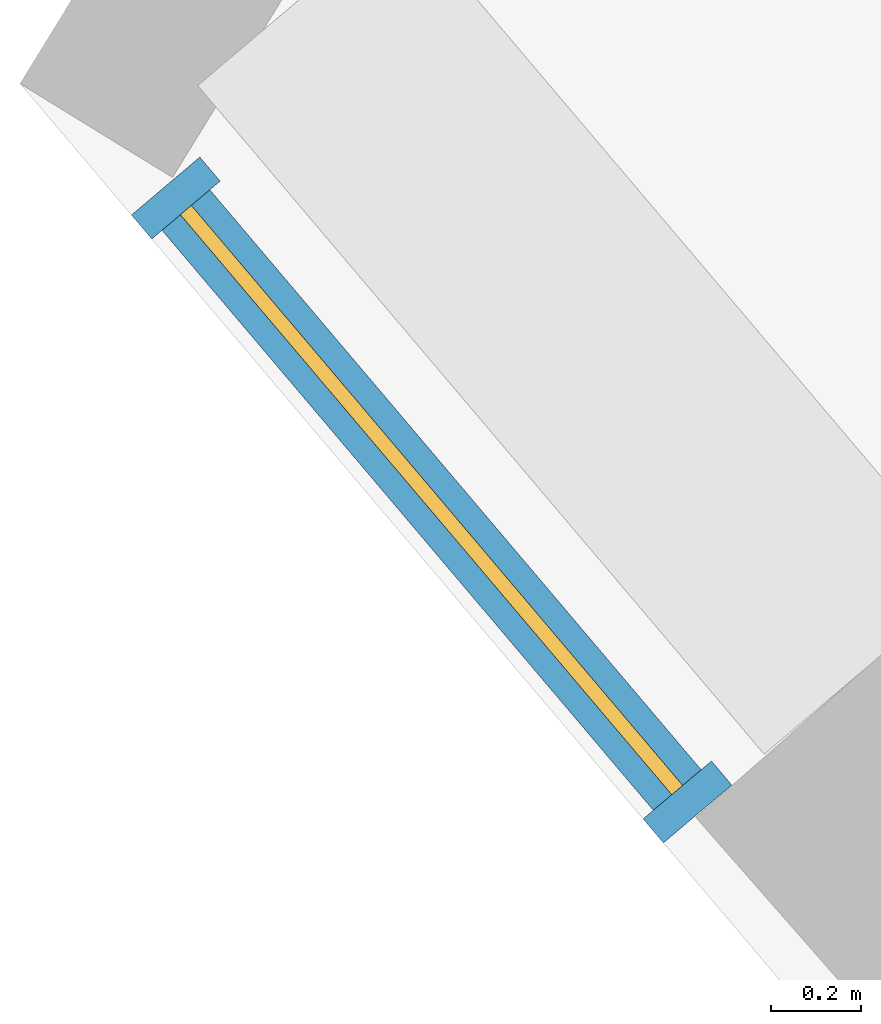
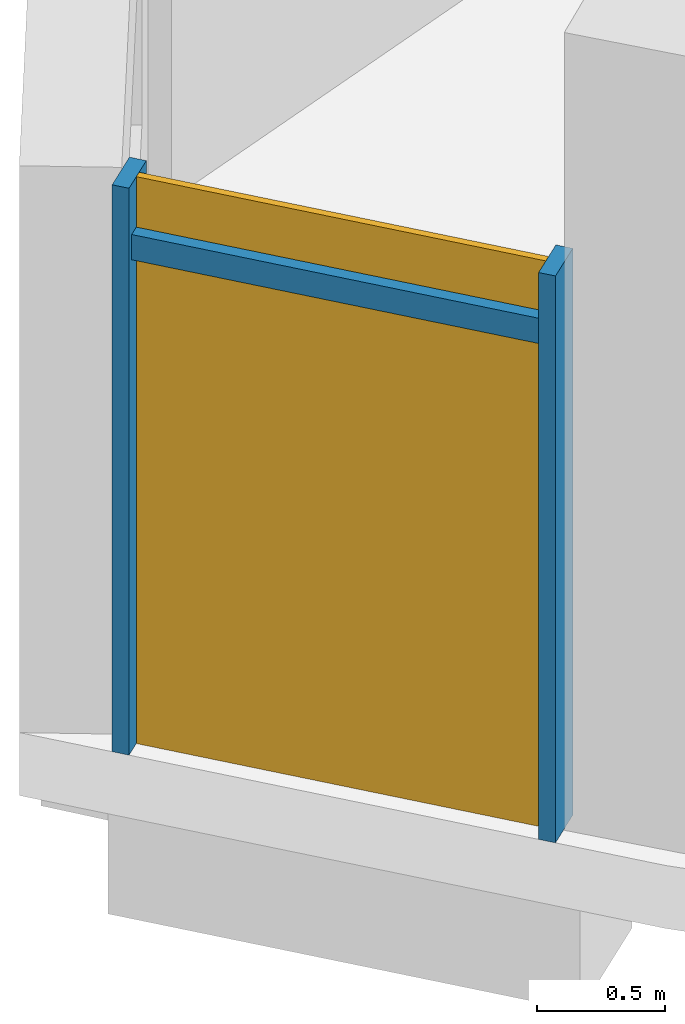
# One storey, part 18 of 27: 3 members, 1 curtain wall.
"""IFC4 building model written with IfcOpenShell, lengths in metres."""

from ifc_helpers import new_model, si_unit, direction, frame, origin, origin_2d, place, context, subcontext, project, spatial, rectangle, extrude, material, material_profile, profile_set, type_object, element, aggregate, save


model = new_model("IFC4")

# Units and contexts
model_context = context("Model", 3, precision=1e-05, world=origin(), true_north=direction((0.0, 1.0)))
body_context = subcontext(model_context, "Body", "Model", "MODEL_VIEW")
ifc_project = project(units=[si_unit("LENGTHUNIT", "METRE"), si_unit("AREAUNIT", "SQUARE_METRE"), si_unit("VOLUMEUNIT", "CUBIC_METRE"), si_unit("PLANEANGLEUNIT", "RADIAN"), si_unit("MASSUNIT", "GRAM", prefix="KILO")], contexts=[model_context])

# Member
ifc_material = material(Name="Aluminium 6063-T6 anodised", Category="aluminium")
ifc_material_profile_1 = material_profile(ifc_material, rectangle(XDim=0.199951171875, YDim=0.070068359375, at=origin_2d()))
ifc_profile_set_1 = profile_set([ifc_material_profile_1], Name="Aluminium 6063-T6 anodised")
member_type_1 = type_object("IfcMemberType", Name="Mullion 70 x 200 aluminium", PredefinedType="MULLION", material=ifc_profile_set_1)
site_placement = place(None, origin())
building_placement = place(site_placement, origin())
storey_placement = place(building_placement, frame((0.0, 0.0, 280.89990234375)))
member_1_placement = place(storey_placement, frame((-60.289794921875, -49.872314453125, 0.0), z_axis=(0.0, 0.0, 1.0), x_axis=(0.762997443444, 0.646401501621, 0.0)))
member_1 = element("IfcMember", 1, at=member_1_placement, type_object=member_type_1, Name="e-cw1-L68-out00/M00", PredefinedType="MULLION", context=body_context, shape_type="SweptSolid", body=[
    extrude(rectangle(XDim=0.199951171875, YDim=0.070068359375, at=origin_2d()), origin(), (0.0, 0.0, 1.0), 2.7001953125),
])

member_2_placement = place(storey_placement, frame((-59.14697265625, -51.22119140625, 0.0), z_axis=(0.0, 0.0, 1.0), x_axis=(0.762997443444, 0.646401501621, 0.0)))
member_2 = element("IfcMember", 2, at=member_2_placement, type_object=member_type_1, Name="e-cw1-L68-out00/M01", PredefinedType="MULLION", context=body_context, shape_type="SweptSolid", body=[
    extrude(rectangle(XDim=0.199951171875, YDim=0.070068359375, at=origin_2d()), origin(), (0.0, 0.0, 1.0), 2.7001953125),
])

ifc_material_profile_2 = material_profile(ifc_material, rectangle(XDim=0.139892578125, YDim=0.1201171875, at=origin_2d()))
ifc_profile_set_2 = profile_set([ifc_material_profile_2], Name="Aluminium 6063-T6 anodised")
member_type_2 = type_object("IfcMemberType", Name="Transom 120 x 140 aluminium", PredefinedType="USERDEFINED", material=ifc_profile_set_2)
member_3_placement = place(storey_placement, frame((-60.26708984375, -49.899169921875, 2.400146484375), z_axis=(0.646386924173, -0.763009793029, 0.0), x_axis=(0.763009793029, 0.646386924173, 0.0)))
member_3 = element("IfcMember", 3, at=member_3_placement, type_object=member_type_2, Name="e-cw1-L68-out00/T00", ObjectType="TRANSOM", PredefinedType="USERDEFINED", context=body_context, shape_type="SweptSolid", body=[
    extrude(rectangle(XDim=0.139892578125, YDim=0.1201171875, at=origin_2d()), origin(), (0.0, 0.0, 1.0), 1.69775390625),
])

# Site, building, storey
site = spatial("IfcSite", under=ifc_project, at=site_placement, CompositionType="ELEMENT")
building = spatial("IfcBuilding", under=site, at=building_placement, Name="Qamariyya Broadcast Tower", CompositionType="ELEMENT")
storey = spatial("IfcBuildingStorey", under=building, at=storey_placement, Name="L68", CompositionType="ELEMENT", Elevation=280.89990234375)

# Curtain wall
curtain_wall_type = type_object("IfcCurtainWallType", Name="Unitised curtain wall, anodised aluminium", PredefinedType="NOTDEFINED", material=ifc_material)
curtain_wall_placement = place(storey_placement, origin())
curtain_wall = element("IfcCurtainWall", 4, at=curtain_wall_placement, inside=storey, type_object=curtain_wall_type, Name="e-cw1-L68-out00", PredefinedType="NOTDEFINED", context=body_context, shape_type="SweptSolid", body=[
    extrude(rectangle(XDim=1.697998046875, YDim=0.031982421875, at=origin_2d()), frame((-59.718505859375, -50.546875, 0.0), x_axis=(0.646382784844, -0.76301329966, 0.0)), (0.0, 0.0, 1.0), 2.340087890625),
    extrude(rectangle(XDim=1.697998046875, YDim=0.031982421875, at=origin_2d()), frame((-59.718505859375, -50.546875, 2.460205078125), x_axis=(0.646382784844, -0.76301329966, 0.0)), (0.0, 0.0, 1.0), 0.239990234375),
])

aggregate(curtain_wall, [member_1, member_2, member_3])

save(model, "model.ifc")
